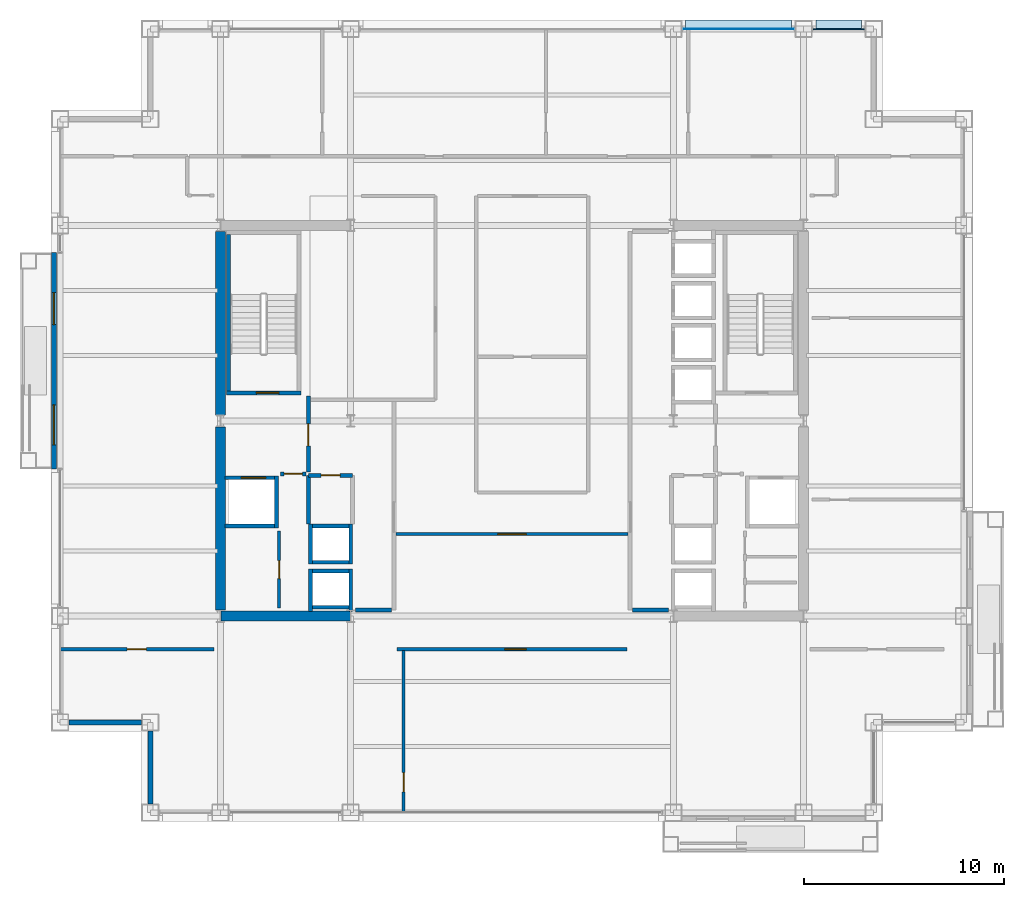
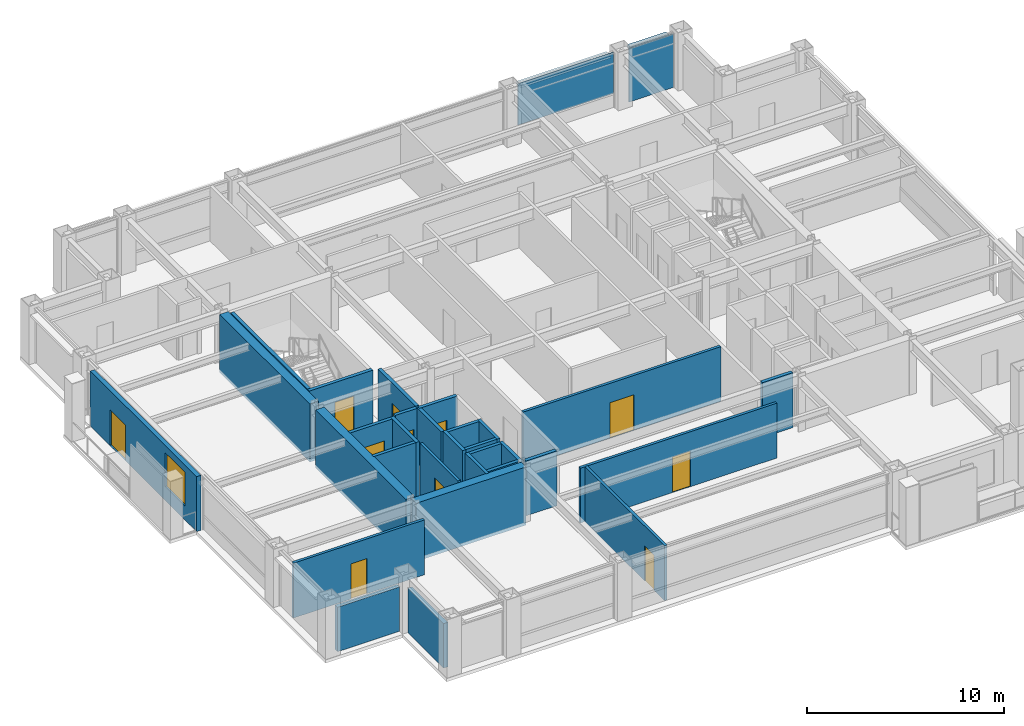
# One storey, part 25 of 31: 30 walls, 11 doors, 4 plates, 1 window, 12 openings, 2 elements without a shape of their own.
"""IFC4 building model written with IfcOpenShell, lengths in metres."""

from ifc_helpers import new_model, si_unit, direction, frame, frame_2d, origin, origin_2d, place, context, subcontext, project, spatial, rectangle, extrude, material, layer, layer_set, type_object, element, fill, aggregate, save


model = new_model("IFC4")

# Units and contexts
model_context = context("Model", 3, precision=1e-05, world=origin(), true_north=direction((0.0, 1.0)))
body_context = subcontext(model_context, "Body", "Model", "MODEL_VIEW")
ifc_project = project(units=[si_unit("LENGTHUNIT", "METRE"), si_unit("AREAUNIT", "SQUARE_METRE"), si_unit("VOLUMEUNIT", "CUBIC_METRE"), si_unit("PLANEANGLEUNIT", "RADIAN"), si_unit("MASSUNIT", "GRAM", prefix="KILO")], contexts=[model_context])

# Site, building, storey
site_placement = place(None, origin())
site = spatial("IfcSite", under=ifc_project, at=site_placement, CompositionType="ELEMENT")
building_placement = place(site_placement, origin())
building = spatial("IfcBuilding", under=site, at=building_placement, Name="Brelmoor Portico Tower", CompositionType="ELEMENT")
storey_placement = place(building_placement, frame((0.0, 0.0, 106.199951171875)))
storey = spatial("IfcBuildingStorey", under=building, at=storey_placement, Name="L27", CompositionType="ELEMENT", Elevation=106.199951171875)

# Curtain wall, plate
ifc_material_1 = material(Name="Anodised Aluminium Alloy 6063-T6", Category="aluminium")
ifc_layer_1 = layer(ifc_material_1, 0.179931640625)
ifc_layer_set_1 = layer_set([ifc_layer_1], Name="Anodised Aluminium Alloy 6063-T6")
curtain_wall_type_1 = type_object("IfcCurtainWallType", Name="CW-TOWER-Z2", PredefinedType="NOTDEFINED", material=ifc_layer_set_1)
curtain_wall_1_placement = place(storey_placement, origin())
curtain_wall_1 = element("IfcCurtainWall", 1, at=curtain_wall_1_placement, inside=storey, type_object=curtain_wall_type_1, Name="L27 Curtain Wall CW-L27-02-4", PredefinedType="NOTDEFINED")
ifc_material_2 = material(Name="Double-Silver Low-E Insulated Glazing", Category="glass")
ifc_layer_2 = layer(ifc_material_2, 0.035888671875)
ifc_layer_set_2 = layer_set([ifc_layer_2], Name="Double-Silver Low-E Insulated Glazing")
plate_type_1 = type_object("IfcPlateType", Name="PT-CW-GLASS", PredefinedType="CURTAIN_PANEL", material=ifc_layer_set_2)
plate_1_placement = place(storey_placement, frame((11.300048828125, 19.550048828125, 0.85009765625), z_axis=(0.0, 0.0, 1.0), x_axis=(1.0, 0.0, 0.0)))
plate_1 = element("IfcPlate", 2, at=plate_1_placement, type_object=plate_type_1, Name="CW-L27-02-4 Vision Glass Panel 00", PredefinedType="CURTAIN_PANEL", context=body_context, shape_type="SweptSolid", body=[
    extrude(rectangle(XDim=5.60009765625, YDim=0.035888671875, at=origin_2d()), origin(), (0.0, 0.0, 1.0), 2.550048828125),
])
aggregate(curtain_wall_1, [plate_1])

ifc_layer_3 = layer(ifc_material_1, 0.179931640625)
ifc_layer_set_3 = layer_set([ifc_layer_3], Name="Anodised Aluminium Alloy 6063-T6")
curtain_wall_type_2 = type_object("IfcCurtainWallType", Name="CW-TOWER-Z2-XB", PredefinedType="NOTDEFINED", material=ifc_layer_set_3)
curtain_wall_2_placement = place(storey_placement, origin())
curtain_wall_2 = element("IfcCurtainWall", 3, at=curtain_wall_2_placement, inside=storey, type_object=curtain_wall_type_2, Name="L27 Curtain Wall CW-L27-02-5", PredefinedType="NOTDEFINED")
ifc_material_3 = material(Name="Pale Champagne Anodised Aluminium Panel", Category="aluminium")
ifc_layer_4 = layer(ifc_material_3, 0.050048828125)
ifc_layer_set_4 = layer_set([ifc_layer_4], Name="Pale Champagne Anodised Aluminium Panel")
plate_type_2 = type_object("IfcPlateType", Name="PT-CW-SPANDREL", PredefinedType="SHEET", material=ifc_layer_set_4)
plate_2_placement = place(storey_placement, frame((16.300048828125, 19.550048828125, 0.0), z_axis=(0.0, 0.0, 1.0), x_axis=(1.0, 0.0, 0.0)))
plate_2 = element("IfcPlate", 4, at=plate_2_placement, type_object=plate_type_2, Name="CW-L27-02-5 Spandrel Panel 00", PredefinedType="SHEET", context=body_context, shape_type="SweptSolid", body=[
    extrude(rectangle(XDim=2.60009765625, YDim=0.050048828125, at=origin_2d()), origin(), (0.0, 0.0, 1.0), 3.330078125),
])
aggregate(curtain_wall_2, [plate_2])

# Plates
ifc_material_4 = material(Name="Pale Champagne Perforated Aluminium Solar Screen", Category="aluminium")
ifc_layer_5 = layer(ifc_material_4, 0.054931640625)
ifc_layer_set_5 = layer_set([ifc_layer_5], Name="Pale Champagne Perforated Aluminium Solar Screen")
plate_type_3 = type_object("IfcPlateType", Name="PT-SOLAR-LOUVRE", PredefinedType="SHEET", material=ifc_layer_set_5)
plate_3_placement = place(storey_placement, frame((11.300048828125, 19.760009765625, 3.09033203125), z_axis=(0.0, 0.0, 1.0), x_axis=(1.0, 0.0, 0.0)))
element("IfcPlate", 5, at=plate_3_placement, inside=storey, type_object=plate_type_3, Name="CW-L27-02-4 Caribbean Brise-Soleil Solar Screen", PredefinedType="SHEET", context=body_context, shape_type="SweptSolid", body=[
    extrude(rectangle(XDim=5.27001953125, YDim=0.4599609375, at=origin_2d()), origin(), (0.0, 0.0, 1.0), 0.139892578125),
])
plate_4_placement = place(storey_placement, frame((16.300048828125, 19.760009765625, 3.09033203125), z_axis=(0.0, 0.0, 1.0), x_axis=(1.0, 0.0, 0.0)))
element("IfcPlate", 6, at=plate_4_placement, inside=storey, type_object=plate_type_3, Name="CW-L27-02-5 Caribbean Brise-Soleil Solar Screen", PredefinedType="SHEET", context=body_context, shape_type="SweptSolid", body=[
    extrude(rectangle(XDim=2.27001953125, YDim=0.4599609375, at=origin_2d()), origin(), (0.0, 0.0, 1.0), 0.139892578125),
])

# Walls
ifc_material_5 = material(Name="Concrete C60", Category="concrete")
ifc_layer_6 = layer(ifc_material_5, 0.5)
ifc_layer_set_6 = layer_set([ifc_layer_6], Name="Concrete C60")
wall_type_1 = type_object("IfcWallType", Name="WL-CORE-500", PredefinedType="SHEAR", material=ifc_layer_set_6)
wall_1_placement = place(storey_placement, frame((-14.530029296875, -9.75, -0.199951171875), z_axis=(0.0, 0.0, 1.0), x_axis=(1.0, 0.0, 0.0)))
element("IfcWall", 7, at=wall_1_placement, inside=storey, type_object=wall_type_1, Name="L27 WC South Shear Wall", PredefinedType="SHEAR", context=body_context, shape_type="SweptSolid", body=[
    extrude(rectangle(XDim=6.4599609375, YDim=0.5, at=frame_2d((3.22998046875, 0.0))), origin(), (0.0, 0.0, 1.0), 3.60009765625),
])
for number, where, z_axis, x_axis, name in (
    (8, (-14.550048828125, -9.449951171875, -0.199951171875), (0.0, 0.0, 1.0), (0.0, 1.0, 0.0), "L27 WC Outer South Shear Wall"),
    (9, (-14.550048828125, 0.300048828125, -0.199951171875), (0.0, 0.0, 1.0), (0.0, 1.0, 0.0), "L27 WC Outer North Shear Wall"),
):
    element("IfcWall", number, at=place(storey_placement, frame(where, z_axis=z_axis, x_axis=x_axis)), inside=storey, type_object=wall_type_1, Name=name, PredefinedType="SHEAR", context=body_context, shape_type="SweptSolid", body=[
        extrude(rectangle(XDim=9.14990234375, YDim=0.5, at=frame_2d((4.574951171875, 0.0))), origin(), (0.0, 0.0, 1.0), 3.60009765625),
    ])

# Wall, openings, door, window
ifc_material_6 = material(Name="Precast Concrete C40 Insulated Facade Wall", Category="concrete")
ifc_layer_7 = layer(ifc_material_6, 0.25)
ifc_layer_set_7 = layer_set([ifc_layer_7], Name="Precast Concrete C40 Insulated Facade Wall")
wall_type_2 = type_object("IfcWallType", Name="WL-EXT-250", PredefinedType="STANDARD", material=ifc_layer_set_7)
wall_2_placement = place(storey_placement, frame((-22.860107421875, -2.39990234375, 0.0), z_axis=(0.0, 0.0, 1.0), x_axis=(0.0, 1.0, 0.0)))
wall_2 = element("IfcWall", 10, at=wall_2_placement, inside=storey, type_object=wall_type_2, Name="L27 Loggia Threshold Wall W-1", PredefinedType="STANDARD", context=body_context, shape_type="SweptSolid", body=[
    extrude(rectangle(XDim=10.7998046875, YDim=0.25, at=frame_2d((5.39990234375, 0.0))), origin(), (0.0, 0.0, 1.0), 3.400146484375),
])
opening_1_placement = place(wall_2_placement, frame((7.199951171875, 0.0, 0.0)))
opening_1 = element("IfcOpeningElement", 11, at=opening_1_placement, cuts=wall_2, Name="Opening D-TB1", PredefinedType="OPENING", context=body_context, shape_type="SweptSolid", body=[
    extrude(rectangle(XDim=1.60009765625, YDim=2.199951171875, at=frame_2d((0.800048828125, 1.10009765625))), frame((0.0, 0.135009765625, 0.0), z_axis=(0.0, -1.0, 0.0), x_axis=(1.0, 0.0, 0.0)), (0.0, 0.0, 1.0), 0.27001953125),
])
opening_2_placement = place(wall_2_placement, frame((1.199951171875, 0.0, 0.85009765625)))
opening_2 = element("IfcOpeningElement", 12, at=opening_2_placement, cuts=wall_2, Name="Opening W-03", PredefinedType="OPENING", context=body_context, shape_type="SweptSolid", body=[
    extrude(rectangle(XDim=2.0, YDim=2.10009765625, at=frame_2d((1.0, 1.050048828125))), frame((0.0, 0.135009765625, 0.0), z_axis=(0.0, -1.0, 0.0), x_axis=(1.0, 0.0, 0.0)), (0.0, 0.0, 1.0), 0.27001953125),
])
ifc_material_7 = material(Name="Double-Leaf Thermally Broken Terrace Door", Category="aluminium")
door_type_1 = type_object("IfcDoorType", Name="DR-BALCONY-1600", OperationType="NOTDEFINED", PredefinedType="DOOR", material=ifc_material_7)
door_1_placement = place(opening_1_placement, origin())
door_1 = element("IfcDoor", 13, at=door_1_placement, inside=storey, type_object=door_type_1, Name="D-1209 L27 Tree Balcony Double Door W", OperationType="DOUBLE_DOOR_SINGLE_SWING", OverallHeight=2.199951171875, OverallWidth=1.60009765625, PredefinedType="DOOR", context=body_context, shape_type="SweptSolid", body=[
    extrude(rectangle(XDim=1.60009765625, YDim=2.199951171875, at=frame_2d((0.800048828125, 1.10009765625))), frame((0.0, 0.02490234375, 0.0), z_axis=(0.0, -1.0, 0.0), x_axis=(1.0, 0.0, 0.0)), (0.0, 0.0, 1.0), 0.050048828125),
])
fill(opening_1, door_1)
ifc_material_8 = material(Name="Thermally Broken Aluminium Low-E Window", Category="aluminium")
window_type = type_object("IfcWindowType", Name="WN-LOGGIA-2000x2100", PartitioningType="SINGLE_PANEL", PredefinedType="WINDOW", material=ifc_material_8)
window_placement = place(opening_2_placement, origin())
window = element("IfcWindow", 14, at=window_placement, inside=storey, type_object=window_type, Name="L27 Loggia Window W", OverallHeight=2.10009765625, OverallWidth=2.0, PartitioningType="SINGLE_PANEL", PredefinedType="WINDOW", context=body_context, shape_type="SweptSolid", body=[
    extrude(rectangle(XDim=2.0, YDim=2.10009765625, at=frame_2d((1.0, 1.050048828125))), frame((0.0, 0.030029296875, 0.0), z_axis=(0.0, -1.0, 0.0), x_axis=(1.0, 0.0, 0.0)), (0.0, 0.0, 1.0), 0.06005859375),
])
fill(opening_2, window)

# Walls
for number, where, z_axis, x_axis, name in (
    (15, (-22.114990234375, -15.050048828125, 0.0), (0.0, 0.0, 1.0), (1.0, 0.0, 0.0), "L27 Corner Notch Facade Wall NSWH1"),
    (16, (-18.050048828125, -19.114990234375, 0.0), (0.0, 0.0, 1.0), (0.0, 1.0, 0.0), "L27 Corner Notch Facade Wall NSWV1"),
):
    element("IfcWall", number, at=place(storey_placement, frame(where, z_axis=z_axis, x_axis=x_axis)), inside=storey, type_object=wall_type_2, Name=name, PredefinedType="STANDARD", context=body_context, shape_type="SweptSolid", body=[
        extrude(rectangle(XDim=3.6298828125, YDim=0.25, at=frame_2d((1.81494140625, 0.0))), origin(), (0.0, 0.0, 1.0), 2.75),
    ])

# Wall, opening, door
ifc_material_9 = material(Name="Twin-Frame Acoustic Partition", Category="gypsum")
ifc_layer_8 = layer(ifc_material_9, 0.159912109375)
ifc_layer_set_8 = layer_set([ifc_layer_8], Name="Twin-Frame Acoustic Partition")
wall_type_3 = type_object("IfcWallType", Name="WL-PART-160", PredefinedType="PARTITIONING", material=ifc_layer_set_8)
wall_3_placement = place(storey_placement, frame((-11.6201171875, -9.35009765625, 0.0), z_axis=(0.0, 0.0, 1.0), x_axis=(0.0, 1.0, 0.0)))
wall_3 = element("IfcWall", 17, at=wall_3_placement, inside=storey, type_object=wall_type_3, Name="L27 W Core Service Front Wall", PredefinedType="PARTITIONING", context=body_context, shape_type="SweptSolid", body=[
    extrude(rectangle(XDim=3.85009765625, YDim=0.159912109375, at=frame_2d((1.925048828125, 0.0))), origin(), (0.0, 0.0, 1.0), 3.400146484375),
])
opening_3_placement = place(wall_3_placement, frame((1.47509765625, 0.0, 0.0)))
opening_3 = element("IfcOpeningElement", 18, at=opening_3_placement, cuts=wall_3, Name="Opening D-IN1", PredefinedType="OPENING", context=body_context, shape_type="SweptSolid", body=[
    extrude(rectangle(XDim=0.89990234375, YDim=2.14990234375, at=frame_2d((0.449951171875, 1.074951171875))), frame((0.0, 0.08984375, 0.0), z_axis=(0.0, -1.0, 0.0), x_axis=(1.0, 0.0, 0.0)), (0.0, 0.0, 1.0), 0.179931640625),
])
ifc_material_10 = material(Name="Lacquered Timber Suite Door", Category="wood")
door_type_2 = type_object("IfcDoorType", Name="DR-INT-900", OperationType="NOTDEFINED", PredefinedType="DOOR", material=ifc_material_10)
door_2_placement = place(opening_3_placement, origin())
door_2 = element("IfcDoor", 19, at=door_2_placement, inside=storey, type_object=door_type_2, Name="D-1184 L27 W Accessible WC Door", OperationType="SINGLE_SWING_RIGHT", OverallHeight=2.14990234375, OverallWidth=0.89990234375, PredefinedType="DOOR", context=body_context, shape_type="SweptSolid", body=[
    extrude(rectangle(XDim=0.89990234375, YDim=2.14990234375, at=frame_2d((0.449951171875, 1.074951171875))), frame((0.0, 0.02490234375, 0.0), z_axis=(0.0, -1.0, 0.0), x_axis=(1.0, 0.0, 0.0)), (0.0, 0.0, 1.0), 0.050048828125),
])
fill(opening_3, door_2)

wall_4_placement = place(storey_placement, frame((-5.800048828125, -5.64990234375, 0.0), z_axis=(0.0, 0.0, 1.0), x_axis=(1.0, 0.0, 0.0)))
wall_4 = element("IfcWall", 20, at=wall_4_placement, inside=storey, type_object=wall_type_3, Name="L27 South Hub Corridor Wall", PredefinedType="PARTITIONING", context=body_context, shape_type="SweptSolid", body=[
    extrude(rectangle(XDim=11.60009765625, YDim=0.159912109375, at=frame_2d((5.800048828125, 0.0))), origin(), (0.0, 0.0, 1.0), 3.400146484375),
])
opening_4_placement = place(wall_4_placement, frame((5.10009765625, 0.0, 0.0)))
opening_4 = element("IfcOpeningElement", 21, at=opening_4_placement, cuts=wall_4, Name="Opening D-SU2", PredefinedType="OPENING", context=body_context, shape_type="SweptSolid", body=[
    extrude(rectangle(XDim=1.39990234375, YDim=2.199951171875, at=frame_2d((0.699951171875, 1.10009765625))), frame((0.0, 0.08984375, 0.0), z_axis=(0.0, -1.0, 0.0), x_axis=(1.0, 0.0, 0.0)), (0.0, 0.0, 1.0), 0.179931640625),
])
ifc_material_11 = material(Name="Double-Leaf Acoustic Suite Door", Category="timber")
door_type_3 = type_object("IfcDoorType", Name="DR-SUITE-1400", OperationType="NOTDEFINED", PredefinedType="DOOR", material=ifc_material_11)
door_3_placement = place(opening_4_placement, origin())
door_3 = element("IfcDoor", 22, at=door_3_placement, inside=storey, type_object=door_type_3, Name="D-1176 L27 South Reception Hub Door", OperationType="DOUBLE_DOOR_SINGLE_SWING", OverallHeight=2.199951171875, OverallWidth=1.39990234375, PredefinedType="DOOR", context=body_context, shape_type="SweptSolid", body=[
    extrude(rectangle(XDim=1.39990234375, YDim=2.199951171875, at=frame_2d((0.699951171875, 1.10009765625))), frame((0.0, 0.02490234375, 0.0), z_axis=(0.0, -1.0, 0.0), x_axis=(1.0, 0.0, 0.0)), (0.0, 0.0, 1.0), 0.050048828125),
])
fill(opening_4, door_3)

wall_5_placement = place(storey_placement, frame((-5.4111328125, -19.56005859375, 0.0), z_axis=(0.0, 0.0, 1.0), x_axis=(0.0, 1.0, 0.0)))
wall_5 = element("IfcWall", 23, at=wall_5_placement, inside=storey, type_object=wall_type_3, Name="L27 South Suite Partition 1", PredefinedType="PARTITIONING", context=body_context, shape_type="SweptSolid", body=[
    extrude(rectangle(XDim=8.10009765625, YDim=0.159912109375, at=frame_2d((4.050048828125, 0.0))), origin(), (0.0, 0.0, 1.0), 3.400146484375),
])
opening_5_placement = place(wall_5_placement, frame((1.050048828125, 0.0, 0.0)))
opening_5 = element("IfcOpeningElement", 24, at=opening_5_placement, cuts=wall_5, Name="Opening D-IN2", PredefinedType="OPENING", context=body_context, shape_type="SweptSolid", body=[
    extrude(rectangle(XDim=0.9599609375, YDim=2.179931640625, at=frame_2d((0.47998046875, 1.08984375))), frame((0.0, 0.08984375, 0.0), z_axis=(0.0, -1.0, 0.0), x_axis=(1.0, 0.0, 0.0)), (0.0, 0.0, 1.0), 0.179931640625),
])
door_type_4 = type_object("IfcDoorType", Name="DR-INT-950", OperationType="NOTDEFINED", PredefinedType="DOOR", material=ifc_material_10)
door_4_placement = place(opening_5_placement, origin())
door_4 = element("IfcDoor", 25, at=door_4_placement, inside=storey, type_object=door_type_4, Name="D-1202 L27 South Suite Connecting Door 1", OperationType="SINGLE_SWING_RIGHT", OverallHeight=2.179931640625, OverallWidth=0.9599609375, PredefinedType="DOOR", context=body_context, shape_type="SweptSolid", body=[
    extrude(rectangle(XDim=0.9599609375, YDim=2.179931640625, at=frame_2d((0.47998046875, 1.08984375))), frame((0.0, 0.02490234375, 0.0), z_axis=(0.0, -1.0, 0.0), x_axis=(1.0, 0.0, 0.0)), (0.0, 0.0, 1.0), 0.050048828125),
])
fill(opening_5, door_4)

wall_6_placement = place(storey_placement, frame((-5.75, -11.39990234375, 0.0), z_axis=(0.0, 0.0, 1.0), x_axis=(1.0, 0.0, 0.0)))
wall_6 = element("IfcWall", 26, at=wall_6_placement, inside=storey, type_object=wall_type_3, Name="L27 South Corridor Partition", PredefinedType="PARTITIONING", context=body_context, shape_type="SweptSolid", body=[
    extrude(rectangle(XDim=11.5, YDim=0.159912109375, at=frame_2d((5.75, 0.0))), origin(), (0.0, 0.0, 1.0), 3.400146484375),
])
opening_6_placement = place(wall_6_placement, frame((5.389404296875, 0.0, 0.0)))
opening_6 = element("IfcOpeningElement", 27, at=opening_6_placement, cuts=wall_6, Name="Opening D-OF2", PredefinedType="OPENING", context=body_context, shape_type="SweptSolid", body=[
    extrude(rectangle(XDim=1.06005859375, YDim=2.199951171875, at=frame_2d((0.530029296875, 1.10009765625))), frame((0.0, 0.08984375, 0.0), z_axis=(0.0, -1.0, 0.0), x_axis=(1.0, 0.0, 0.0)), (0.0, 0.0, 1.0), 0.179931640625),
])
ifc_material_12 = material(Name="Hardwood Acoustic Veneer Door", Category="wood")
door_type_5 = type_object("IfcDoorType", Name="DR-OFFICE-1050", OperationType="NOTDEFINED", PredefinedType="DOOR", material=ifc_material_12)
door_5_placement = place(opening_6_placement, origin())
door_5 = element("IfcDoor", 28, at=door_5_placement, inside=storey, type_object=door_type_5, Name="D-1201 L27 South Project Mail Room 2 Door", OperationType="SINGLE_SWING_LEFT", OverallHeight=2.199951171875, OverallWidth=1.06005859375, PredefinedType="DOOR", context=body_context, shape_type="SweptSolid", body=[
    extrude(rectangle(XDim=1.06005859375, YDim=2.199951171875, at=frame_2d((0.530029296875, 1.10009765625))), frame((0.0, 0.02490234375, 0.0), z_axis=(0.0, -1.0, 0.0), x_axis=(1.0, 0.0, 0.0)), (0.0, 0.0, 1.0), 0.050048828125),
])
fill(opening_6, door_5)

wall_7_placement = place(storey_placement, frame((-22.56005859375, -11.39990234375, 0.0), z_axis=(0.0, 0.0, 1.0), x_axis=(1.0, 0.0, 0.0)))
wall_7 = element("IfcWall", 29, at=wall_7_placement, inside=storey, type_object=wall_type_3, Name="L27 South Wing Closure WL", PredefinedType="PARTITIONING", context=body_context, shape_type="SweptSolid", body=[
    extrude(rectangle(XDim=7.68017578125, YDim=0.159912109375, at=frame_2d((3.840087890625, 0.0))), origin(), (0.0, 0.0, 1.0), 3.400146484375),
])
opening_7_placement = place(wall_7_placement, frame((3.360107421875, 0.0, 0.0)))
opening_7 = element("IfcOpeningElement", 30, at=opening_7_placement, cuts=wall_7, Name="Opening D-IN2", PredefinedType="OPENING", context=body_context, shape_type="SweptSolid", body=[
    extrude(rectangle(XDim=0.9599609375, YDim=2.179931640625, at=frame_2d((0.47998046875, 1.08984375))), frame((0.0, 0.08984375, 0.0), z_axis=(0.0, -1.0, 0.0), x_axis=(1.0, 0.0, 0.0)), (0.0, 0.0, 1.0), 0.179931640625),
])
door_6_placement = place(opening_7_placement, origin())
door_6 = element("IfcDoor", 31, at=door_6_placement, inside=storey, type_object=door_type_4, Name="D-1206 L27 WL Wing South Suite Door", OperationType="SINGLE_SWING_RIGHT", OverallHeight=2.179931640625, OverallWidth=0.9599609375, PredefinedType="DOOR", context=body_context, shape_type="SweptSolid", body=[
    extrude(rectangle(XDim=0.9599609375, YDim=2.179931640625, at=frame_2d((0.47998046875, 1.08984375))), frame((0.0, 0.02490234375, 0.0), z_axis=(0.0, -1.0, 0.0), x_axis=(1.0, 0.0, 0.0)), (0.0, 0.0, 1.0), 0.050048828125),
])
fill(opening_7, door_6)

# Wall
ifc_material_13 = material(Name="Double-Stud Gypsum Fire Partition", Category="gypsum")
ifc_layer_9 = layer(ifc_material_13, 0.199951171875)
ifc_layer_set_9 = layer_set([ifc_layer_9], Name="Double-Stud Gypsum Fire Partition")
wall_type_4 = type_object("IfcWallType", Name="WL-PART-200", PredefinedType="PARTITIONING", material=ifc_layer_set_9)
wall_8_placement = place(storey_placement, frame((-6.02001953125, -9.449951171875, 0.0), z_axis=(0.0, 0.0, 1.0), x_axis=(-1.0, 0.0, 0.0)))
element("IfcWall", 32, at=wall_8_placement, inside=storey, type_object=wall_type_4, Name="L27 W Lift Lobby South End Wall", PredefinedType="PARTITIONING", context=body_context, shape_type="SweptSolid", body=[
    extrude(rectangle(XDim=1.800048828125, YDim=0.199951171875, at=frame_2d((0.89990234375, 0.0))), origin(), (0.0, 0.0, 1.0), 3.400146484375),
])

# Wall, opening, door
wall_9_placement = place(storey_placement, frame((-10.159912109375, -2.550048828125, 0.0), z_axis=(0.0, 0.0, 1.0), x_axis=(0.0, 1.0, 0.0)))
wall_9 = element("IfcWall", 33, at=wall_9_placement, inside=storey, type_object=wall_type_4, Name="L27 W Firefighting Lobby Wall", PredefinedType="PARTITIONING", context=body_context, shape_type="SweptSolid", body=[
    extrude(rectangle(XDim=3.800048828125, YDim=0.199951171875, at=frame_2d((1.89990234375, 0.0))), origin(), (0.0, 0.0, 1.0), 3.400146484375),
])
opening_8_placement = place(wall_9_placement, frame((1.300048828125, 0.0, 0.0)))
opening_8 = element("IfcOpeningElement", 34, at=opening_8_placement, cuts=wall_9, Name="Opening D-FR1", PredefinedType="OPENING", context=body_context, shape_type="SweptSolid", body=[
    extrude(rectangle(XDim=1.10009765625, YDim=2.14990234375, at=frame_2d((0.550048828125, 1.074951171875))), frame((0.0, 0.10986328125, 0.0), z_axis=(0.0, -1.0, 0.0), x_axis=(1.0, 0.0, 0.0)), (0.0, 0.0, 1.0), 0.219970703125),
])
ifc_material_14 = material(Name="Painted Galvanised Steel Fire Door", Category="steel")
door_type_6 = type_object("IfcDoorType", Name="DR-FIRE-1100", OperationType="NOTDEFINED", PredefinedType="DOOR", material=ifc_material_14)
door_7_placement = place(opening_8_placement, origin())
door_7 = element("IfcDoor", 35, at=door_7_placement, inside=storey, type_object=door_type_6, Name="D-1188 L27 W Firefighting Lobby Door", OperationType="SINGLE_SWING_LEFT", OverallHeight=2.14990234375, OverallWidth=1.10009765625, PredefinedType="DOOR", context=body_context, shape_type="SweptSolid", body=[
    extrude(rectangle(XDim=1.10009765625, YDim=2.14990234375, at=frame_2d((0.550048828125, 1.074951171875))), frame((0.0, 0.02490234375, 0.0), z_axis=(0.0, -1.0, 0.0), x_axis=(1.0, 0.0, 0.0)), (0.0, 0.0, 1.0), 0.050048828125),
])
fill(opening_8, door_7)

wall_10_placement = place(storey_placement, frame((-10.280029296875, -2.64990234375, 0.0), z_axis=(0.0, 0.0, 1.0), x_axis=(-1.0, 0.0, 0.0)))
wall_10 = element("IfcWall", 36, at=wall_10_placement, inside=storey, type_object=wall_type_4, Name="L27 W Firefighting Lobby South Wall", PredefinedType="PARTITIONING", context=body_context, shape_type="SweptSolid", body=[
    extrude(rectangle(XDim=1.27001953125, YDim=0.199951171875, at=frame_2d((0.635009765625, 0.0))), origin(), (0.0, 0.0, 1.0), 3.400146484375),
])
opening_9_placement = place(wall_10_placement, frame((0.18505859375, 0.0, 0.0)))
opening_9 = element("IfcOpeningElement", 37, at=opening_9_placement, cuts=wall_10, Name="Opening D-IN1", PredefinedType="OPENING", context=body_context, shape_type="SweptSolid", body=[
    extrude(rectangle(XDim=0.89990234375, YDim=2.14990234375, at=frame_2d((0.449951171875, 1.074951171875))), frame((0.0, 0.10986328125, 0.0), z_axis=(0.0, -1.0, 0.0), x_axis=(1.0, 0.0, 0.0)), (0.0, 0.0, 1.0), 0.219970703125),
])
door_8_placement = place(opening_9_placement, origin())
door_8 = element("IfcDoor", 38, at=door_8_placement, inside=storey, type_object=door_type_2, Name="D-1183 L27 W Core Service Vestibule Door", OperationType="SINGLE_SWING_RIGHT", OverallHeight=2.14990234375, OverallWidth=0.89990234375, PredefinedType="DOOR", context=body_context, shape_type="SweptSolid", body=[
    extrude(rectangle(XDim=0.89990234375, YDim=2.14990234375, at=frame_2d((0.449951171875, 1.074951171875))), frame((0.0, 0.02490234375, 0.0), z_axis=(0.0, -1.0, 0.0), x_axis=(1.0, 0.0, 0.0)), (0.0, 0.0, 1.0), 0.050048828125),
])
fill(opening_9, door_8)

wall_11_placement = place(storey_placement, frame((-7.9599609375, -2.719970703125, 0.0), z_axis=(0.0, 0.0, 1.0), x_axis=(-1.0, 0.0, 0.0)))
wall_11 = element("IfcWall", 39, at=wall_11_placement, inside=storey, type_object=wall_type_4, Name="L27 W Electrical Switchgear Closet Wall", PredefinedType="PARTITIONING", context=body_context, shape_type="SweptSolid", body=[
    extrude(rectangle(XDim=2.199951171875, YDim=0.199951171875, at=frame_2d((1.10009765625, 0.0))), origin(), (0.0, 0.0, 1.0), 3.400146484375),
])
opening_10_placement = place(wall_11_placement, frame((0.6201171875, 0.0, 0.0)))
opening_10 = element("IfcOpeningElement", 40, at=opening_10_placement, cuts=wall_11, Name="Opening D-FR4", PredefinedType="OPENING", context=body_context, shape_type="SweptSolid", body=[
    extrude(rectangle(XDim=0.949951171875, YDim=2.10009765625, at=frame_2d((0.47509765625, 1.050048828125))), frame((0.0, 0.10986328125, 0.0), z_axis=(0.0, -1.0, 0.0), x_axis=(1.0, 0.0, 0.0)), (0.0, 0.0, 1.0), 0.219970703125),
])
ifc_material_15 = material(Name="Painted Galvanised Steel Riser Door", Category="steel")
door_type_7 = type_object("IfcDoorType", Name="DR-FIRE-950", OperationType="NOTDEFINED", PredefinedType="DOOR", material=ifc_material_15)
door_9_placement = place(opening_10_placement, origin())
door_9 = element("IfcDoor", 41, at=door_9_placement, inside=storey, type_object=door_type_7, Name="D-1186 L27 W Electrical Switchgear Closet Door", OperationType="SINGLE_SWING_LEFT", OverallHeight=2.10009765625, OverallWidth=0.949951171875, PredefinedType="DOOR", context=body_context, shape_type="SweptSolid", body=[
    extrude(rectangle(XDim=0.949951171875, YDim=2.10009765625, at=frame_2d((0.47509765625, 1.050048828125))), frame((0.0, 0.02490234375, 0.0), z_axis=(0.0, -1.0, 0.0), x_axis=(1.0, 0.0, 0.0)), (0.0, 0.0, 1.0), 0.050048828125),
])
fill(opening_10, door_9)

# Walls
wall_12_placement = place(storey_placement, frame((-10.159912109375, -5.159912109375, 0.0), z_axis=(0.0, 0.0, 1.0), x_axis=(0.0, 1.0, 0.0)))
element("IfcWall", 42, at=wall_12_placement, inside=storey, type_object=wall_type_4, Name="L27 W Electrical Switchgear Closet Outer Wall", PredefinedType="PARTITIONING", context=body_context, shape_type="SweptSolid", body=[
    extrude(rectangle(XDim=2.43994140625, YDim=0.199951171875, at=frame_2d((1.219970703125, 0.0))), origin(), (0.0, 0.0, 1.0), 3.400146484375),
])
wall_13_placement = place(storey_placement, frame((6.02001953125, -9.449951171875, 0.0), z_axis=(0.0, 0.0, 1.0), x_axis=(1.0, 0.0, 0.0)))
element("IfcWall", 43, at=wall_13_placement, inside=storey, type_object=wall_type_4, Name="L27 E Lift Lobby South End Wall", PredefinedType="PARTITIONING", context=body_context, shape_type="SweptSolid", body=[
    extrude(rectangle(XDim=1.800048828125, YDim=0.199951171875, at=frame_2d((0.89990234375, 0.0))), origin(), (0.0, 0.0, 1.0), 3.400146484375),
])
ifc_material_16 = material(Name="Precast Concrete C40", Category="concrete")
ifc_layer_10 = layer(ifc_material_16, 0.18994140625)
ifc_layer_set_10 = layer_set([ifc_layer_10], Name="Precast Concrete C40")
wall_type_5 = type_object("IfcWallType", Name="WL-SHAFT-180", PredefinedType="SOLIDWALL", material=ifc_layer_set_10)
for number, where, z_axis, x_axis, name in (
    (44, (-8.044921875, -9.52001953125, -0.199951171875), (0.0, 0.0, 1.0), (0.0, 1.0, 0.0), "L27 Lift PH1 Hoistway Front Wall"),
    (45, (-10.054931640625, -9.52001953125, -0.199951171875), (0.0, 0.0, 1.0), (0.0, 1.0, 0.0), "L27 Lift PH1 Hoistway Back Wall"),
):
    element("IfcWall", number, at=place(storey_placement, frame(where, z_axis=z_axis, x_axis=x_axis)), inside=storey, type_object=wall_type_5, Name=name, PredefinedType="SOLIDWALL", context=body_context, shape_type="SweptSolid", body=[
        extrude(rectangle(XDim=2.1201171875, YDim=0.18994140625, at=frame_2d((1.06005859375, 0.0))), origin(), (0.0, 0.0, 1.0), 3.60009765625),
    ])
for number, where, z_axis, x_axis, name in (
    (46, (-10.14990234375, -7.4951171875, -0.199951171875), (0.0, 0.0, 1.0), (1.0, 0.0, 0.0), "L27 Lift PH1 Hoistway North Wall"),
    (47, (-10.14990234375, -9.304931640625, -0.199951171875), (0.0, 0.0, 1.0), (1.0, 0.0, 0.0), "L27 Lift PH1 Hoistway South Wall"),
):
    element("IfcWall", number, at=place(storey_placement, frame(where, z_axis=z_axis, x_axis=x_axis)), inside=storey, type_object=wall_type_5, Name=name, PredefinedType="SOLIDWALL", context=body_context, shape_type="SweptSolid", body=[
        extrude(rectangle(XDim=2.199951171875, YDim=0.18994140625, at=frame_2d((1.10009765625, 0.0))), origin(), (0.0, 0.0, 1.0), 3.60009765625),
    ])
for number, where, z_axis, x_axis, name in (
    (48, (-8.044921875, -7.14990234375, -0.199951171875), (0.0, 0.0, 1.0), (0.0, 1.0, 0.0), "L27 Lift PH2 Hoistway Front Wall"),
    (49, (-10.054931640625, -7.14990234375, -0.199951171875), (0.0, 0.0, 1.0), (0.0, 1.0, 0.0), "L27 Lift PH2 Hoistway Back Wall"),
):
    element("IfcWall", number, at=place(storey_placement, frame(where, z_axis=z_axis, x_axis=x_axis)), inside=storey, type_object=wall_type_5, Name=name, PredefinedType="SOLIDWALL", context=body_context, shape_type="SweptSolid", body=[
        extrude(rectangle(XDim=2.0, YDim=0.18994140625, at=frame_2d((1.0, 0.0))), origin(), (0.0, 0.0, 1.0), 3.60009765625),
    ])
for number, where, z_axis, x_axis, name in (
    (50, (-10.14990234375, -5.2451171875, -0.199951171875), (0.0, 0.0, 1.0), (1.0, 0.0, 0.0), "L27 Lift PH2 Hoistway North Wall"),
    (51, (-10.14990234375, -7.054931640625, -0.199951171875), (0.0, 0.0, 1.0), (1.0, 0.0, 0.0), "L27 Lift PH2 Hoistway South Wall"),
):
    element("IfcWall", number, at=place(storey_placement, frame(where, z_axis=z_axis, x_axis=x_axis)), inside=storey, type_object=wall_type_5, Name=name, PredefinedType="SOLIDWALL", context=body_context, shape_type="SweptSolid", body=[
        extrude(rectangle(XDim=2.199951171875, YDim=0.18994140625, at=frame_2d((1.10009765625, 0.0))), origin(), (0.0, 0.0, 1.0), 3.60009765625),
    ])

# Wall, opening, door
wall_14_placement = place(storey_placement, frame((-14.330078125, -2.844970703125, -0.199951171875), z_axis=(0.0, 0.0, 1.0), x_axis=(1.0, 0.0, 0.0)))
wall_14 = element("IfcWall", 52, at=wall_14_placement, inside=storey, type_object=wall_type_5, Name="L27 Lift FF1 Hoistway Front Wall", PredefinedType="SOLIDWALL", context=body_context, shape_type="SweptSolid", body=[
    extrude(rectangle(XDim=2.68017578125, YDim=0.18994140625, at=frame_2d((1.340087890625, 0.0))), origin(), (0.0, 0.0, 1.0), 3.60009765625),
])
opening_11_placement = place(wall_14_placement, frame((0.830078125, 0.0, 0.199951171875)))
opening_11 = element("IfcOpeningElement", 53, at=opening_11_placement, cuts=wall_14, Name="Opening LD-02", PredefinedType="OPENING", context=body_context, shape_type="SweptSolid", body=[
    extrude(rectangle(XDim=1.199951171875, YDim=2.199951171875, at=frame_2d((0.60009765625, 1.10009765625))), frame((0.0, 0.10498046875, 0.0), z_axis=(0.0, -1.0, 0.0), x_axis=(1.0, 0.0, 0.0)), (0.0, 0.0, 1.0), 0.2099609375),
])
ifc_material_17 = material(Name="Brushed Stainless Steel Firefighting Lift Door", Category="steel")
door_type_8 = type_object("IfcDoorType", Name="DR-LIFT-1200", OperationType="NOTDEFINED", PredefinedType="DOOR", material=ifc_material_17)
door_10_placement = place(opening_11_placement, origin())
door_10 = element("IfcDoor", 54, at=door_10_placement, inside=storey, type_object=door_type_8, Name="D-1214 L27 Lift FF1 Sliding Landing Door", OperationType="SLIDING_TO_LEFT", OverallHeight=2.199951171875, OverallWidth=1.199951171875, PredefinedType="DOOR", context=body_context, shape_type="SweptSolid", body=[
    extrude(rectangle(XDim=1.199951171875, YDim=2.199951171875, at=frame_2d((0.60009765625, 1.10009765625))), frame((0.0, 0.02490234375, 0.0), z_axis=(0.0, -1.0, 0.0), x_axis=(1.0, 0.0, 0.0)), (0.0, 0.0, 1.0), 0.050048828125),
])
fill(opening_11, door_10)

# Walls
wall_15_placement = place(storey_placement, frame((-14.330078125, -5.2548828125, -0.199951171875), z_axis=(0.0, 0.0, 1.0), x_axis=(1.0, 0.0, 0.0)))
element("IfcWall", 55, at=wall_15_placement, inside=storey, type_object=wall_type_5, Name="L27 Firefighting Lift FF1 South Wall", PredefinedType="SOLIDWALL", context=body_context, shape_type="SweptSolid", body=[
    extrude(rectangle(XDim=2.68017578125, YDim=0.18994140625, at=frame_2d((1.340087890625, 0.0))), origin(), (0.0, 0.0, 1.0), 3.60009765625),
])
wall_16_placement = place(storey_placement, frame((-11.7451171875, -5.35009765625, -0.199951171875), z_axis=(0.0, 0.0, 1.0), x_axis=(0.0, 1.0, 0.0)))
element("IfcWall", 56, at=wall_16_placement, inside=storey, type_object=wall_type_5, Name="L27 Firefighting Lift FF1 Inner Wall", PredefinedType="SOLIDWALL", context=body_context, shape_type="SweptSolid", body=[
    extrude(rectangle(XDim=2.60009765625, YDim=0.18994140625, at=frame_2d((1.300048828125, 0.0))), origin(), (0.0, 0.0, 1.0), 3.60009765625),
])
ifc_material_18 = material(Name="Concrete C40", Category="concrete")
ifc_layer_11 = layer(ifc_material_18, 0.199951171875)
ifc_layer_set_11 = layer_set([ifc_layer_11], Name="Concrete C40")
wall_type_6 = type_object("IfcWallType", Name="WL-SHAFT-RC200", PredefinedType="SOLIDWALL", material=ifc_layer_set_11)
wall_17_placement = place(storey_placement, frame((-14.14990234375, 1.5, -0.199951171875), z_axis=(0.0, 0.0, 1.0), x_axis=(0.0, 1.0, 0.0)))
element("IfcWall", 57, at=wall_17_placement, inside=storey, type_object=wall_type_6, Name="L27 ST-W Structural Stair Wall Outer", PredefinedType="SOLIDWALL", context=body_context, shape_type="SweptSolid", body=[
    extrude(rectangle(XDim=7.800048828125, YDim=0.199951171875, at=frame_2d((3.89990234375, 0.0))), origin(), (0.0, 0.0, 1.0), 3.60009765625),
])

# Wall, opening, door
wall_18_placement = place(storey_placement, frame((-14.25, 1.39990234375, -0.199951171875), z_axis=(0.0, 0.0, 1.0), x_axis=(1.0, 0.0, 0.0)))
wall_18 = element("IfcWall", 58, at=wall_18_placement, inside=storey, type_object=wall_type_6, Name="L27 ST-W Structural Stair Wall S", PredefinedType="SOLIDWALL", context=body_context, shape_type="SweptSolid", body=[
    extrude(rectangle(XDim=3.719970703125, YDim=0.199951171875, at=frame_2d((1.85986328125, 0.0))), origin(), (0.0, 0.0, 1.0), 3.60009765625),
])
opening_12_placement = place(wall_18_placement, frame((1.5, 0.0, 0.199951171875)))
opening_12 = element("IfcOpeningElement", 59, at=opening_12_placement, cuts=wall_18, Name="Opening D-ST1", PredefinedType="OPENING", context=body_context, shape_type="SweptSolid", body=[
    extrude(rectangle(XDim=1.1201171875, YDim=2.179931640625, at=frame_2d((0.56005859375, 1.08984375))), frame((0.0, 0.10986328125, 0.0), z_axis=(0.0, -1.0, 0.0), x_axis=(1.0, 0.0, 0.0)), (0.0, 0.0, 1.0), 0.219970703125),
])
door_type_9 = type_object("IfcDoorType", Name="DR-STAIR-1100", OperationType="NOTDEFINED", PredefinedType="DOOR", material=ifc_material_14)
door_11_placement = place(opening_12_placement, origin())
door_11 = element("IfcDoor", 60, at=door_11_placement, inside=storey, type_object=door_type_9, Name="D-1204 L27 ST-W Protected Exit Stair Door", OperationType="SINGLE_SWING_LEFT", OverallHeight=2.179931640625, OverallWidth=1.1201171875, PredefinedType="DOOR", context=body_context, shape_type="SweptSolid", body=[
    extrude(rectangle(XDim=1.1201171875, YDim=2.179931640625, at=frame_2d((0.56005859375, 1.08984375))), frame((0.0, 0.02490234375, 0.0), z_axis=(0.0, -1.0, 0.0), x_axis=(1.0, 0.0, 0.0)), (0.0, 0.0, 1.0), 0.050048828125),
])
fill(opening_12, door_11)

save(model, "model.ifc")
